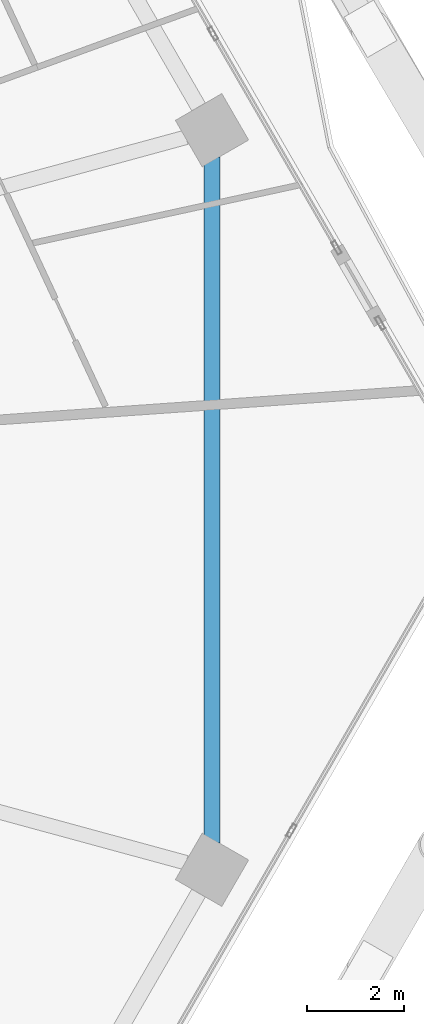
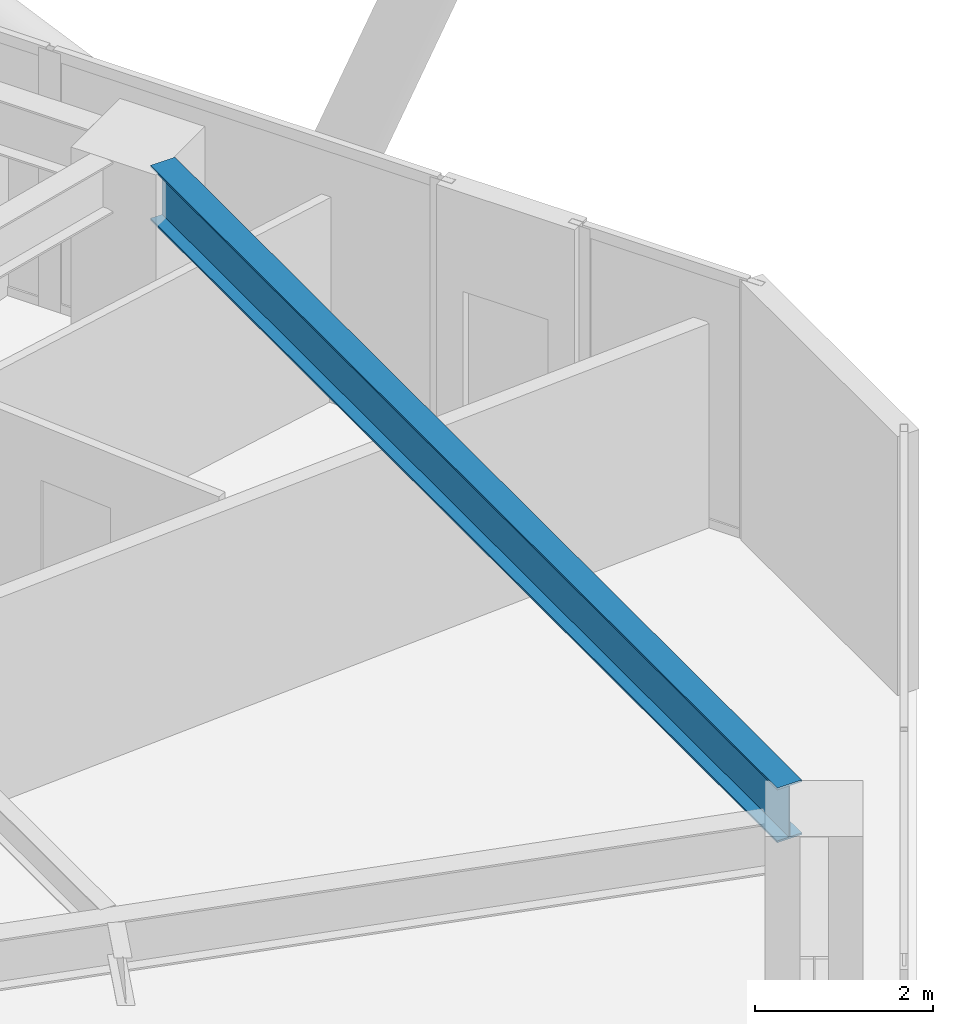
# One storey, part 13 of 34: 1 beam.
"""IFC4 building model written with IfcOpenShell, lengths in metres."""

from ifc_helpers import new_model, si_unit, direction, frame, origin, origin_2d, place, context, subcontext, project, spatial, i_section, extrude, material, material_profile, profile_set, type_object, element, save


model = new_model("IFC4")

# Units and contexts
model_context = context("Model", 3, precision=1e-05, world=origin(), true_north=direction((0.0, 1.0)))
body_context = subcontext(model_context, "Body", "Model", "MODEL_VIEW")
ifc_project = project(units=[si_unit("LENGTHUNIT", "METRE"), si_unit("AREAUNIT", "SQUARE_METRE"), si_unit("VOLUMEUNIT", "CUBIC_METRE"), si_unit("PLANEANGLEUNIT", "RADIAN"), si_unit("MASSUNIT", "GRAM", prefix="KILO")], contexts=[model_context])

# Site, building, storey
site_placement = place(None, origin())
site = spatial("IfcSite", under=ifc_project, at=site_placement, CompositionType="ELEMENT")
building_placement = place(site_placement, origin())
building = spatial("IfcBuilding", under=site, at=building_placement, Name="Zuhravey Tower", CompositionType="ELEMENT")
storey_placement = place(building_placement, frame((0.0, 0.0, 100.0)))
storey = spatial("IfcBuildingStorey", under=building, at=storey_placement, Name="L24", CompositionType="ELEMENT", Elevation=100.0)

# Beam
ifc_material = material(Name="Steel SM355", Category="steel")
ifc_material_profile = material_profile(ifc_material, i_section(OverallWidth=0.320068359375, OverallDepth=0.75, WebThickness=0.013916015625, FlangeThickness=0.02490234375, at=origin_2d()), Name="H-750x320x14x25")
ifc_profile_set = profile_set([ifc_material_profile], Name="Steel SM355")
beam_type = type_object("IfcBeamType", Name="Perimeter Ring Beam H750x320", PredefinedType="BEAM", material=ifc_profile_set)
beam_placement = place(storey_placement, frame((63.88916015625, 24.96142578125, 3.175048828125), z_axis=(0.0, 1.0, 0.0), x_axis=(-1.0, 0.0, 0.0)))
element("IfcBeam", 1, at=beam_placement, inside=storey, type_object=beam_type, Name="L24 PB1 BM-L24-PB-12", PredefinedType="BEAM", context=body_context, shape_type="SweptSolid", body=[
    extrude(i_section(OverallWidth=0.320068359375, OverallDepth=0.75, WebThickness=0.013916015625, FlangeThickness=0.02490234375, at=origin_2d()), origin(), (0.0, 0.0, 1.0), 14.0771484375),
])

save(model, "model.ifc")
